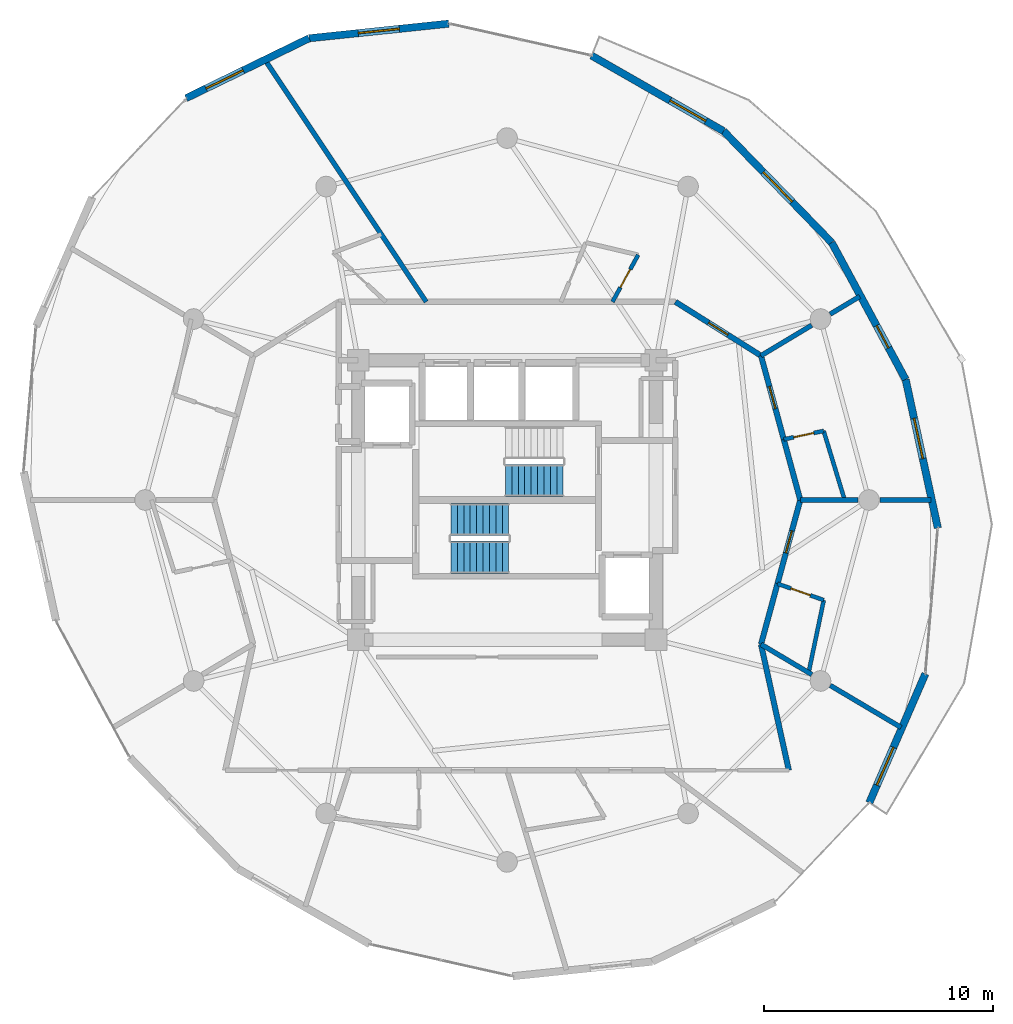
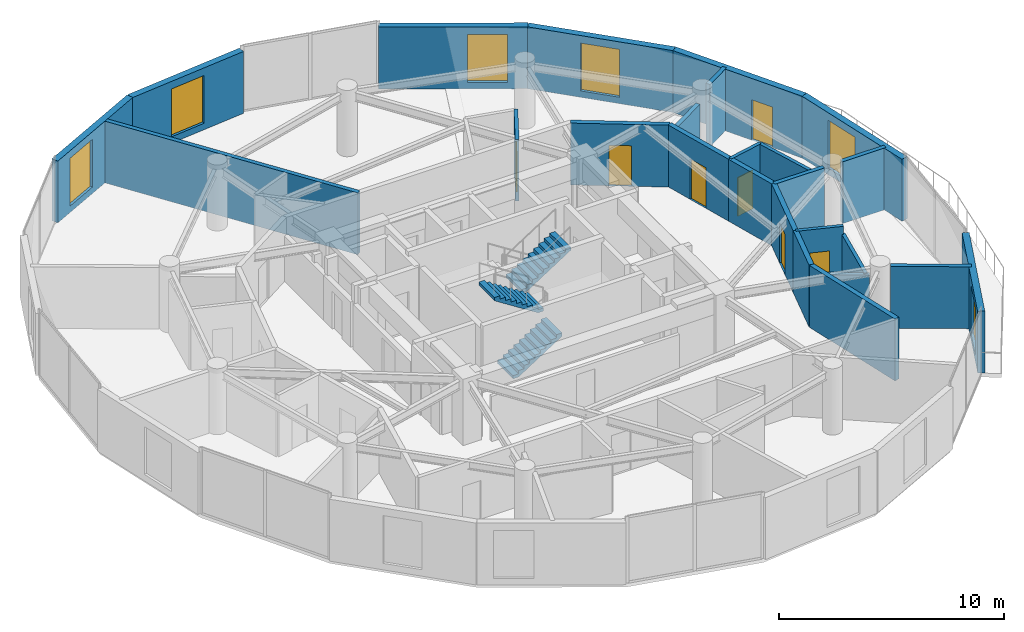
# One storey, part 20 of 23: 25 walls, 7 doors, 6 windows, 3 stair flights, 13 openings, 2 elements without a shape of their own.
"""IFC4 building model written with IfcOpenShell, lengths in metres."""

from ifc_helpers import new_model, si_unit, direction, frame, frame_2d, origin, place, context, subcontext, project, spatial, polyline, rectangle, outline, extrude, material, layer, layer_set, type_object, element, fill, aggregate, save


model = new_model("IFC4")

# Units and contexts
model_context = context("Model", 3, precision=1e-05, world=origin(), true_north=direction((0.0, 1.0)))
body_context = subcontext(model_context, "Body", "Model", "MODEL_VIEW")
ifc_project = project(units=[si_unit("LENGTHUNIT", "METRE"), si_unit("AREAUNIT", "SQUARE_METRE"), si_unit("VOLUMEUNIT", "CUBIC_METRE"), si_unit("PLANEANGLEUNIT", "RADIAN"), si_unit("MASSUNIT", "GRAM", prefix="KILO")], contexts=[model_context])

# Site, building, storey
site_placement = place(None, origin())
site = spatial("IfcSite", under=ifc_project, at=site_placement, CompositionType="ELEMENT")
building_placement = place(site_placement, origin())
building = spatial("IfcBuilding", under=site, at=building_placement, Name="Solvirekh Grand Hotel", CompositionType="ELEMENT")
storey_placement = place(building_placement, frame((0.0, 0.0, 176.800048828125)))
storey = spatial("IfcBuildingStorey", under=building, at=storey_placement, Name="L45", CompositionType="ELEMENT", Elevation=176.800048828125)

# Wall, opening, window
ifc_material_1 = material(Name="Precast concrete C45/55", Category="concrete")
ifc_layer_1 = layer(ifc_material_1, 0.320068359375)
ifc_layer_set_1 = layer_set([ifc_layer_1], Name="Precast concrete C45/55")
wall_type_1 = type_object("IfcWallType", Name="ExtLobbyWall_RC320", PredefinedType="SOLIDWALL", material=ifc_layer_set_1)
wall_1_placement = place(storey_placement, frame((18.260009765625, -7.590087890625, 0.0), z_axis=(0.0, 0.0, 1.0), x_axis=(-0.398911001453, -0.916989647117, 0.0)))
wall_1 = element("IfcWall", 1, at=wall_1_placement, inside=storey, type_object=wall_type_1, Name="L45 exterior structural wall chord 2", PredefinedType="SOLIDWALL", context=body_context, shape_type="SweptSolid", body=[
    extrude(rectangle(XDim=6.1318359375, YDim=0.320068359375, at=frame_2d((3.06591796875, 0.0))), origin(), (0.0, 0.0, 1.0), 3.35986328125),
])
opening_1_placement = place(wall_1_placement, frame((3.5, 0.0, 0.35009765625)))
opening_1 = element("IfcOpeningElement", 2, at=opening_1_placement, cuts=wall_1, Name="Opening W02", PredefinedType="OPENING", context=body_context, shape_type="SweptSolid", body=[
    extrude(rectangle(XDim=1.800048828125, YDim=2.60009765625, at=frame_2d((0.89990234375, 1.300048828125))), frame((0.0, 0.169921875, 0.0), z_axis=(0.0, -1.0, 0.0), x_axis=(1.0, 0.0, 0.0)), (0.0, 0.0, 1.0), 0.340087890625),
])
ifc_material_2 = material(Name="Low-E Tinted Bronze Laminated Glass", Category="aluminium")
window_type = type_object("IfcWindowType", Name="Win_LobbyExt_1800X2600", PartitioningType="SINGLE_PANEL", PredefinedType="WINDOW", material=ifc_material_2)
window_1_placement = place(opening_1_placement, origin())
window_1 = element("IfcWindow", 3, at=window_1_placement, inside=storey, type_object=window_type, Name="L45 panoramic bronze-framed window 2", OverallHeight=2.60009765625, OverallWidth=1.800048828125, PartitioningType="SINGLE_PANEL", PredefinedType="WINDOW", context=body_context, shape_type="SweptSolid", body=[
    extrude(rectangle(XDim=1.800048828125, YDim=2.60009765625, at=frame_2d((0.89990234375, 1.300048828125))), frame((0.0, 0.030029296875, 0.0), z_axis=(0.0, -1.0, 0.0), x_axis=(1.0, 0.0, 0.0)), (0.0, 0.0, 1.0), 0.06005859375),
])
fill(opening_1, window_1)

wall_2_placement = place(storey_placement, frame((17.39794921875, 5.261962890625, 0.0), z_axis=(0.0, 0.0, 1.0), x_axis=(0.211992849193, -0.977271217161, 0.0)))
wall_2 = element("IfcWall", 4, at=wall_2_placement, inside=storey, type_object=wall_type_1, Name="L45 exterior structural wall chord 4", PredefinedType="SOLIDWALL", context=body_context, shape_type="SweptSolid", body=[
    extrude(rectangle(XDim=6.636962890625, YDim=0.320068359375, at=frame_2d((3.318359375, 0.0))), origin(), (0.0, 0.0, 1.0), 3.35986328125),
])
opening_2_placement = place(wall_2_placement, frame((1.738037109375, 0.0, 0.35009765625)))
opening_2 = element("IfcOpeningElement", 5, at=opening_2_placement, cuts=wall_2, Name="Opening W02", PredefinedType="OPENING", context=body_context, shape_type="SweptSolid", body=[
    extrude(rectangle(XDim=1.800048828125, YDim=2.60009765625, at=frame_2d((0.89990234375, 1.300048828125))), frame((0.0, 0.169921875, 0.0), z_axis=(0.0, -1.0, 0.0), x_axis=(1.0, 0.0, 0.0)), (0.0, 0.0, 1.0), 0.340087890625),
])
window_2_placement = place(opening_2_placement, origin())
window_2 = element("IfcWindow", 6, at=window_2_placement, inside=storey, type_object=window_type, Name="L45 panoramic bronze-framed window 4", OverallHeight=2.60009765625, OverallWidth=1.800048828125, PartitioningType="SINGLE_PANEL", PredefinedType="WINDOW", context=body_context, shape_type="SweptSolid", body=[
    extrude(rectangle(XDim=1.800048828125, YDim=2.60009765625, at=frame_2d((0.89990234375, 1.300048828125))), frame((0.0, 0.030029296875, 0.0), z_axis=(0.0, -1.0, 0.0), x_axis=(1.0, 0.0, 0.0)), (0.0, 0.0, 1.0), 0.06005859375),
])
fill(opening_2, window_2)

# Wall, opening, door
wall_3_placement = place(storey_placement, frame((14.174072265625, 11.23193359375, 0.0), z_axis=(0.0, 0.0, 1.0), x_axis=(0.475159501302, -0.879899680829, 0.0)))
wall_3 = element("IfcWall", 7, at=wall_3_placement, inside=storey, type_object=wall_type_1, Name="L45 exterior structural wall chord 5", PredefinedType="SOLIDWALL", context=body_context, shape_type="SweptSolid", body=[
    extrude(rectangle(XDim=6.784912109375, YDim=0.320068359375, at=frame_2d((3.392578125, 0.0))), origin(), (0.0, 0.0, 1.0), 3.35986328125),
])
opening_3_placement = place(wall_3_placement, frame((4.114013671875, 0.0, 0.0)))
opening_3 = element("IfcOpeningElement", 8, at=opening_3_placement, cuts=wall_3, Name="Opening D03", PredefinedType="OPENING", context=body_context, shape_type="SweptSolid", body=[
    extrude(rectangle(XDim=1.10009765625, YDim=2.199951171875, at=frame_2d((0.550048828125, 1.10009765625))), frame((0.0, 0.169921875, 0.0), z_axis=(0.0, -1.0, 0.0), x_axis=(1.0, 0.0, 0.0)), (0.0, 0.0, 1.0), 0.340087890625),
])
ifc_material_3 = material(Name="Anodized Bronze Aluminium 6063-T6", Category="aluminium")
door_type_1 = type_object("IfcDoorType", Name="Door_ExtBalcony_1100X2200", OperationType="NOTDEFINED", PredefinedType="DOOR", material=ifc_material_3)
door_1_placement = place(opening_3_placement, origin())
door_1 = element("IfcDoor", 9, at=door_1_placement, inside=storey, type_object=door_type_1, Name="L45 Crescent balcony glazed door (5)", OperationType="SINGLE_SWING_LEFT", OverallHeight=2.199951171875, OverallWidth=1.10009765625, PredefinedType="DOOR", context=body_context, shape_type="SweptSolid", body=[
    extrude(rectangle(XDim=1.10009765625, YDim=2.199951171875, at=frame_2d((0.550048828125, 1.10009765625))), frame((0.0, 0.02490234375, 0.0), z_axis=(0.0, -1.0, 0.0), x_axis=(1.0, 0.0, 0.0)), (0.0, 0.0, 1.0), 0.050048828125),
])
fill(opening_3, door_1)

# Wall, opening, window
wall_4_placement = place(storey_placement, frame((9.450927734375, 16.10302734375, 0.0), z_axis=(0.0, 0.0, 1.0), x_axis=(0.696119985346, -0.71792545992, 0.0)))
wall_4 = element("IfcWall", 10, at=wall_4_placement, inside=storey, type_object=wall_type_1, Name="L45 exterior structural wall chord 6", PredefinedType="SOLIDWALL", context=body_context, shape_type="SweptSolid", body=[
    extrude(rectangle(XDim=6.784912109375, YDim=0.320068359375, at=frame_2d((3.392578125, 0.0))), origin(), (0.0, 0.0, 1.0), 3.35986328125),
])
opening_4_placement = place(wall_4_placement, frame((2.491943359375, 0.0, 0.35009765625)))
opening_4 = element("IfcOpeningElement", 11, at=opening_4_placement, cuts=wall_4, Name="Opening W02", PredefinedType="OPENING", context=body_context, shape_type="SweptSolid", body=[
    extrude(rectangle(XDim=1.800048828125, YDim=2.60009765625, at=frame_2d((0.89990234375, 1.300048828125))), frame((0.0, 0.169921875, 0.0), z_axis=(0.0, -1.0, 0.0), x_axis=(1.0, 0.0, 0.0)), (0.0, 0.0, 1.0), 0.340087890625),
])
window_3_placement = place(opening_4_placement, origin())
window_3 = element("IfcWindow", 12, at=window_3_placement, inside=storey, type_object=window_type, Name="L45 panoramic bronze-framed window 6", OverallHeight=2.60009765625, OverallWidth=1.800048828125, PartitioningType="SINGLE_PANEL", PredefinedType="WINDOW", context=body_context, shape_type="SweptSolid", body=[
    extrude(rectangle(XDim=1.800048828125, YDim=2.60009765625, at=frame_2d((0.89990234375, 1.300048828125))), frame((0.0, 0.030029296875, 0.0), z_axis=(0.0, -1.0, 0.0), x_axis=(1.0, 0.0, 0.0)), (0.0, 0.0, 1.0), 0.06005859375),
])
fill(opening_4, window_3)

wall_5_placement = place(storey_placement, frame((3.68994140625, 19.39794921875, 0.0), z_axis=(0.0, 0.0, 1.0), x_axis=(0.868052920032, -0.496471678974, 0.0)))
wall_5 = element("IfcWall", 13, at=wall_5_placement, inside=storey, type_object=wall_type_1, Name="L45 exterior structural wall chord 7", PredefinedType="SOLIDWALL", context=body_context, shape_type="SweptSolid", body=[
    extrude(rectangle(XDim=6.63671875, YDim=0.320068359375, at=frame_2d((3.318359375, 0.0))), origin(), (0.0, 0.0, 1.0), 3.35986328125),
])
opening_5_placement = place(wall_5_placement, frame((3.944091796875, 0.0, 0.35009765625)))
opening_5 = element("IfcOpeningElement", 14, at=opening_5_placement, cuts=wall_5, Name="Opening W02", PredefinedType="OPENING", context=body_context, shape_type="SweptSolid", body=[
    extrude(rectangle(XDim=1.800048828125, YDim=2.60009765625, at=frame_2d((0.89990234375, 1.300048828125))), frame((0.0, 0.169921875, 0.0), z_axis=(0.0, -1.0, 0.0), x_axis=(1.0, 0.0, 0.0)), (0.0, 0.0, 1.0), 0.340087890625),
])
window_4_placement = place(opening_5_placement, origin())
window_4 = element("IfcWindow", 15, at=window_4_placement, inside=storey, type_object=window_type, Name="L45 panoramic bronze-framed window 7", OverallHeight=2.60009765625, OverallWidth=1.800048828125, PartitioningType="SINGLE_PANEL", PredefinedType="WINDOW", context=body_context, shape_type="SweptSolid", body=[
    extrude(rectangle(XDim=1.800048828125, YDim=2.60009765625, at=frame_2d((0.89990234375, 1.300048828125))), frame((0.0, 0.030029296875, 0.0), z_axis=(0.0, -1.0, 0.0), x_axis=(1.0, 0.0, 0.0)), (0.0, 0.0, 1.0), 0.06005859375),
])
fill(opening_5, window_4)

wall_6_placement = place(storey_placement, frame((-8.64306640625, 20.155029296875, 0.0), z_axis=(0.0, 0.0, 1.0), x_axis=(0.994556170884, 0.104201837585, 0.0)))
wall_6 = element("IfcWall", 16, at=wall_6_placement, inside=storey, type_object=wall_type_1, Name="L45 exterior structural wall chord 9", PredefinedType="SOLIDWALL", context=body_context, shape_type="SweptSolid", body=[
    extrude(rectangle(XDim=6.131591796875, YDim=0.320068359375, at=frame_2d((3.06591796875, 0.0))), origin(), (0.0, 0.0, 1.0), 3.35986328125),
])
opening_6_placement = place(wall_6_placement, frame((2.166015625, 0.0, 0.35009765625)))
opening_6 = element("IfcOpeningElement", 17, at=opening_6_placement, cuts=wall_6, Name="Opening W02", PredefinedType="OPENING", context=body_context, shape_type="SweptSolid", body=[
    extrude(rectangle(XDim=1.800048828125, YDim=2.60009765625, at=frame_2d((0.89990234375, 1.300048828125))), frame((0.0, 0.169921875, 0.0), z_axis=(0.0, -1.0, 0.0), x_axis=(1.0, 0.0, 0.0)), (0.0, 0.0, 1.0), 0.340087890625),
])
window_5_placement = place(opening_6_placement, origin())
window_5 = element("IfcWindow", 18, at=window_5_placement, inside=storey, type_object=window_type, Name="L45 panoramic bronze-framed window 9", OverallHeight=2.60009765625, OverallWidth=1.800048828125, PartitioningType="SINGLE_PANEL", PredefinedType="WINDOW", context=body_context, shape_type="SweptSolid", body=[
    extrude(rectangle(XDim=1.800048828125, YDim=2.60009765625, at=frame_2d((0.89990234375, 1.300048828125))), frame((0.0, 0.030029296875, 0.0), z_axis=(0.0, -1.0, 0.0), x_axis=(1.0, 0.0, 0.0)), (0.0, 0.0, 1.0), 0.06005859375),
])
fill(opening_6, window_5)

wall_7_placement = place(storey_placement, frame((-14.008056640625, 17.5419921875, 0.0), z_axis=(0.0, 0.0, 1.0), x_axis=(0.899034471399, 0.437877858811, 0.0)))
wall_7 = element("IfcWall", 19, at=wall_7_placement, inside=storey, type_object=wall_type_1, Name="L45 exterior structural wall chord 10", PredefinedType="SOLIDWALL", context=body_context, shape_type="SweptSolid", body=[
    extrude(rectangle(XDim=5.967529296875, YDim=0.320068359375, at=frame_2d((2.98388671875, 0.0))), origin(), (0.0, 0.0, 1.0), 3.35986328125),
])
opening_7_placement = place(wall_7_placement, frame((0.966064453125, 0.0, 0.35009765625)))
opening_7 = element("IfcOpeningElement", 20, at=opening_7_placement, cuts=wall_7, Name="Opening W02", PredefinedType="OPENING", context=body_context, shape_type="SweptSolid", body=[
    extrude(rectangle(XDim=1.800048828125, YDim=2.60009765625, at=frame_2d((0.89990234375, 1.300048828125))), frame((0.0, 0.169921875, 0.0), z_axis=(0.0, -1.0, 0.0), x_axis=(1.0, 0.0, 0.0)), (0.0, 0.0, 1.0), 0.340087890625),
])
window_6_placement = place(opening_7_placement, origin())
window_6 = element("IfcWindow", 21, at=window_6_placement, inside=storey, type_object=window_type, Name="L45 panoramic bronze-framed window 10", OverallHeight=2.60009765625, OverallWidth=1.800048828125, PartitioningType="SINGLE_PANEL", PredefinedType="WINDOW", context=body_context, shape_type="SweptSolid", body=[
    extrude(rectangle(XDim=1.800048828125, YDim=2.60009765625, at=frame_2d((0.89990234375, 1.300048828125))), frame((0.0, 0.030029296875, 0.0), z_axis=(0.0, -1.0, 0.0), x_axis=(1.0, 0.0, 0.0)), (0.0, 0.0, 1.0), 0.06005859375),
])
fill(opening_7, window_6)

# Wall, opening, door
ifc_material_4 = material(Name="Acoustic Gypsum Partition Assembly")
ifc_layer_2 = layer(ifc_material_4, 0.239990234375)
ifc_layer_set_2 = layer_set([ifc_layer_2], Name="Acoustic Gypsum Partition Assembly")
wall_type_2 = type_object("IfcWallType", Name="Part_Corridor_240", PredefinedType="PARTITIONING", material=ifc_layer_set_2)
wall_8_placement = place(storey_placement, frame((7.35009765625, 8.64990234375, 0.0), z_axis=(0.0, 0.0, 1.0), x_axis=(0.846409267484, -0.532532958526, 0.0)))
wall_8 = element("IfcWall", 22, at=wall_8_placement, inside=storey, type_object=wall_type_2, Name="L45 Deluxe Guestroom 4701 entrance wall", PredefinedType="PARTITIONING", context=body_context, shape_type="SweptSolid", body=[
    extrude(rectangle(XDim=4.41259765625, YDim=0.239990234375, at=frame_2d((2.206298828125, 0.0))), origin(), (0.0, 0.0, 1.0), 3.35986328125),
])
opening_8_placement = place(wall_8_placement, frame((1.7060546875, 0.0, 0.0)))
opening_8 = element("IfcOpeningElement", 23, at=opening_8_placement, cuts=wall_8, Name="Opening D07", PredefinedType="OPENING", context=body_context, shape_type="SweptSolid", body=[
    extrude(rectangle(XDim=1.0, YDim=2.199951171875, at=frame_2d((0.5, 1.10009765625))), frame((0.0, 0.1298828125, 0.0), z_axis=(0.0, -1.0, 0.0), x_axis=(1.0, 0.0, 0.0)), (0.0, 0.0, 1.0), 0.260009765625),
])
ifc_material_5 = material(Name="Fire-Rated Steel Door Assembly", Category="steel")
door_type_2 = type_object("IfcDoorType", Name="Door_GuestEntry_1000X2200", OperationType="NOTDEFINED", PredefinedType="DOOR", material=ifc_material_5)
door_2_placement = place(opening_8_placement, origin())
door_2 = element("IfcDoor", 24, at=door_2_placement, inside=storey, type_object=door_type_2, Name="L45 Deluxe Guestroom 4701 entrance door", OperationType="SINGLE_SWING_LEFT", OverallHeight=2.199951171875, OverallWidth=1.0, PredefinedType="DOOR", context=body_context, shape_type="SweptSolid", body=[
    extrude(rectangle(XDim=1.0, YDim=2.199951171875, at=frame_2d((0.5, 1.10009765625))), frame((0.0, 0.02490234375, 0.0), z_axis=(0.0, -1.0, 0.0), x_axis=(1.0, 0.0, 0.0)), (0.0, 0.0, 1.0), 0.050048828125),
])
fill(opening_8, door_2)

# Wall
wall_9_placement = place(storey_placement, frame((11.0849609375, -6.300048828125, 0.0), z_axis=(0.0, 0.0, 1.0), x_axis=(0.262552356383, 0.964917747872, 0.0)))
element("IfcWall", 25, at=wall_9_placement, inside=storey, type_object=wall_type_2, Name="L45 En-suite Bathroom 4705 corridor backing wall", PredefinedType="PARTITIONING", context=body_context, shape_type="SweptSolid", body=[
    extrude(rectangle(XDim=2.7421875, YDim=0.239990234375, at=frame_2d((1.37109375, 0.0))), origin(), (0.0, 0.0, 1.0), 3.35986328125),
])

# Wall, opening, door
wall_10_placement = place(storey_placement, frame((11.804931640625, -3.654052734375, 0.0), z_axis=(0.0, 0.0, 1.0), x_axis=(0.262762825819, 0.964860454868, 0.0)))
wall_10 = element("IfcWall", 26, at=wall_10_placement, inside=storey, type_object=wall_type_2, Name="L45 Deluxe Guestroom 4705 entrance wall", PredefinedType="PARTITIONING", context=body_context, shape_type="SweptSolid", body=[
    extrude(rectangle(XDim=3.787109375, YDim=0.239990234375, at=frame_2d((1.8935546875, 0.0))), origin(), (0.0, 0.0, 1.0), 3.35986328125),
])
opening_9_placement = place(wall_10_placement, frame((1.39404296875, 0.0, 0.0)))
opening_9 = element("IfcOpeningElement", 27, at=opening_9_placement, cuts=wall_10, Name="Opening D07", PredefinedType="OPENING", context=body_context, shape_type="SweptSolid", body=[
    extrude(rectangle(XDim=1.0, YDim=2.199951171875, at=frame_2d((0.5, 1.10009765625))), frame((0.0, 0.1298828125, 0.0), z_axis=(0.0, -1.0, 0.0), x_axis=(1.0, 0.0, 0.0)), (0.0, 0.0, 1.0), 0.260009765625),
])
door_3_placement = place(opening_9_placement, origin())
door_3 = element("IfcDoor", 28, at=door_3_placement, inside=storey, type_object=door_type_2, Name="L45 Deluxe Guestroom 4705 entrance door", OperationType="SINGLE_SWING_RIGHT", OverallHeight=2.199951171875, OverallWidth=1.0, PredefinedType="DOOR", context=body_context, shape_type="SweptSolid", body=[
    extrude(rectangle(XDim=1.0, YDim=2.199951171875, at=frame_2d((0.5, 1.10009765625))), frame((0.0, 0.02490234375, 0.0), z_axis=(0.0, -1.0, 0.0), x_axis=(1.0, 0.0, 0.0)), (0.0, 0.0, 1.0), 0.050048828125),
])
fill(opening_9, door_3)

# Wall
wall_11_placement = place(storey_placement, frame((12.800048828125, 0.0, 0.0), z_axis=(0.0, 0.0, 1.0), x_axis=(-0.262552356383, 0.964917747872, 0.0)))
element("IfcWall", 29, at=wall_11_placement, inside=storey, type_object=wall_type_2, Name="L45 En-suite Bathroom 4706 corridor backing wall", PredefinedType="PARTITIONING", context=body_context, shape_type="SweptSolid", body=[
    extrude(rectangle(XDim=2.7421875, YDim=0.239990234375, at=frame_2d((1.37109375, 0.0))), origin(), (0.0, 0.0, 1.0), 3.35986328125),
])

# Wall, opening, door
wall_12_placement = place(storey_placement, frame((12.080078125, 2.64599609375, 0.0), z_axis=(0.0, 0.0, 1.0), x_axis=(-0.262762825819, 0.964860454868, 0.0)))
wall_12 = element("IfcWall", 30, at=wall_12_placement, inside=storey, type_object=wall_type_2, Name="L45 Deluxe Guestroom 4706 entrance wall", PredefinedType="PARTITIONING", context=body_context, shape_type="SweptSolid", body=[
    extrude(rectangle(XDim=3.787109375, YDim=0.239990234375, at=frame_2d((1.8935546875, 0.0))), origin(), (0.0, 0.0, 1.0), 3.35986328125),
])
opening_10_placement = place(wall_12_placement, frame((1.39404296875, 0.0, 0.0)))
opening_10 = element("IfcOpeningElement", 31, at=opening_10_placement, cuts=wall_12, Name="Opening D07", PredefinedType="OPENING", context=body_context, shape_type="SweptSolid", body=[
    extrude(rectangle(XDim=1.0, YDim=2.199951171875, at=frame_2d((0.5, 1.10009765625))), frame((0.0, 0.1298828125, 0.0), z_axis=(0.0, -1.0, 0.0), x_axis=(1.0, 0.0, 0.0)), (0.0, 0.0, 1.0), 0.260009765625),
])
door_4_placement = place(opening_10_placement, origin())
door_4 = element("IfcDoor", 32, at=door_4_placement, inside=storey, type_object=door_type_2, Name="L45 Deluxe Guestroom 4706 entrance door", OperationType="SINGLE_SWING_RIGHT", OverallHeight=2.199951171875, OverallWidth=1.0, PredefinedType="DOOR", context=body_context, shape_type="SweptSolid", body=[
    extrude(rectangle(XDim=1.0, YDim=2.199951171875, at=frame_2d((0.5, 1.10009765625))), frame((0.0, 0.02490234375, 0.0), z_axis=(0.0, -1.0, 0.0), x_axis=(1.0, 0.0, 0.0)), (0.0, 0.0, 1.0), 0.050048828125),
])
fill(opening_10, door_4)

# Walls
wall_13_placement = place(storey_placement, frame((12.300048828125, -11.800048828125, 0.0), z_axis=(0.0, 0.0, 1.0), x_axis=(-0.21572328796, 0.976454537104, 0.0)))
element("IfcWall", 33, at=wall_13_placement, inside=storey, type_object=wall_type_2, Name="L45 L45 Butler Valet & Linen Steward Room corridor wall 1", PredefinedType="PARTITIONING", context=body_context, shape_type="SweptSolid", body=[
    extrude(rectangle(XDim=5.632568359375, YDim=0.239990234375, at=frame_2d((2.81640625, 0.0))), origin(), (0.0, 0.0, 1.0), 3.35986328125),
])
ifc_layer_3 = layer(ifc_material_4, 0.2099609375)
ifc_layer_set_3 = layer_set([ifc_layer_3], Name="Acoustic Gypsum Partition Assembly")
wall_type_3 = type_object("IfcWallType", Name="Part_SuiteDemise_210", PredefinedType="PARTITIONING", material=ifc_layer_set_3)
wall_14_placement = place(storey_placement, frame((12.800048828125, 0.0, 0.0), z_axis=(0.0, 0.0, 1.0), x_axis=(1.0, 0.0, 0.0)))
element("IfcWall", 34, at=wall_14_placement, inside=storey, type_object=wall_type_3, Name="L45 suite radial wall 1 (A)", PredefinedType="PARTITIONING", context=body_context, shape_type="SweptSolid", body=[
    extrude(rectangle(XDim=2.530029296875, YDim=0.2099609375, at=frame_2d((1.26513671875, 0.0))), origin(), (0.0, 0.0, 1.0), 3.35986328125),
])
wall_15_placement = place(storey_placement, frame((16.27001953125, 0.0, 0.0), z_axis=(0.0, 0.0, 1.0), x_axis=(1.0, 0.0, 0.0)))
element("IfcWall", 35, at=wall_15_placement, inside=storey, type_object=wall_type_3, Name="L45 suite radial wall 1 (B)", PredefinedType="PARTITIONING", context=body_context, shape_type="SweptSolid", body=[
    extrude(rectangle(XDim=2.22900390625, YDim=0.2099609375, at=frame_2d((1.114501953125, 0.0))), origin(), (0.0, 0.0, 1.0), 3.35986328125),
])
wall_16_placement = place(storey_placement, frame((11.0849609375, 6.300048828125, 0.0), z_axis=(0.0, 0.0, 1.0), x_axis=(0.857259301733, 0.514884928497, 0.0)))
element("IfcWall", 36, at=wall_16_placement, inside=storey, type_object=wall_type_3, Name="L45 suite radial wall 2 (A)", PredefinedType="PARTITIONING", context=body_context, shape_type="SweptSolid", body=[
    extrude(rectangle(XDim=2.582763671875, YDim=0.2099609375, at=frame_2d((1.29150390625, 0.0))), origin(), (0.0, 0.0, 1.0), 2.8759765625),
])
wall_17_placement = place(storey_placement, frame((14.10205078125, 8.112060546875, 0.0), z_axis=(0.0, 0.0, 1.0), x_axis=(0.85729274583, 0.514829241543, 0.0)))
element("IfcWall", 37, at=wall_17_placement, inside=storey, type_object=wall_type_3, Name="L45 suite radial wall 2 (B)", PredefinedType="PARTITIONING", context=body_context, shape_type="SweptSolid", body=[
    extrude(rectangle(XDim=1.507080078125, YDim=0.2099609375, at=frame_2d((0.75341796875, 0.0))), origin(), (0.0, 0.0, 1.0), 3.35986328125),
])
wall_18_placement = place(storey_placement, frame((11.0849609375, -6.300048828125, 0.0), z_axis=(0.0, 0.0, 1.0), x_axis=(0.859827513331, -0.510584613281, 0.0)))
element("IfcWall", 38, at=wall_18_placement, inside=storey, type_object=wall_type_3, Name="L45 suite radial wall 12 (A)", PredefinedType="PARTITIONING", context=body_context, shape_type="SweptSolid", body=[
    extrude(rectangle(XDim=2.5830078125, YDim=0.2099609375, at=frame_2d((1.29150390625, 0.0))), origin(), (0.0, 0.0, 1.0), 2.8759765625),
])
wall_19_placement = place(storey_placement, frame((14.110107421875, -8.095947265625, 0.0), z_axis=(0.0, 0.0, 1.0), x_axis=(0.859858473155, -0.510532473153, 0.0)))
element("IfcWall", 39, at=wall_19_placement, inside=storey, type_object=wall_type_3, Name="L45 suite radial wall 12 (B)", PredefinedType="PARTITIONING", context=body_context, shape_type="SweptSolid", body=[
    extrude(rectangle(XDim=3.59228515625, YDim=0.2099609375, at=frame_2d((1.796142578125, 0.0))), origin(), (0.0, 0.0, 1.0), 3.35986328125),
])
wall_20_placement = place(storey_placement, frame((-3.528076171875, 8.64990234375, 0.0), z_axis=(0.0, 0.0, 1.0), x_axis=(-0.554428653403, 0.832231258898, 0.0)))
element("IfcWall", 40, at=wall_20_placement, inside=storey, type_object=wall_type_3, Name="L45 Panorama Suite 4701 North Observatory Study dividing partition 1", PredefinedType="PARTITIONING", context=body_context, shape_type="SweptSolid", body=[
    extrude(rectangle(XDim=12.65771484375, YDim=0.2099609375, at=frame_2d((6.328857421875, 0.0))), origin(), (0.0, 0.0, 1.0), 3.35986328125),
])

# Wall, opening, door
ifc_layer_4 = layer(ifc_material_4, 0.175048828125)
ifc_layer_set_4 = layer_set([ifc_layer_4], Name="Acoustic Gypsum Partition Assembly")
wall_type_4 = type_object("IfcWallType", Name="Plumb_Ensuite_175", PredefinedType="PLUMBINGWALL", material=ifc_layer_set_4)
wall_21_placement = place(storey_placement, frame((4.60205078125, 8.64990234375, 0.0), z_axis=(0.0, 0.0, 1.0), x_axis=(0.479577167617, 0.877499709573, 0.0)))
wall_21 = element("IfcWall", 41, at=wall_21_placement, inside=storey, type_object=wall_type_4, Name="L45 En-suite Bathroom 4701 entry plumbing wall", PredefinedType="PLUMBINGWALL", context=body_context, shape_type="SweptSolid", body=[
    extrude(rectangle(XDim=2.335205078125, YDim=0.175048828125, at=frame_2d((1.16748046875, 0.0))), origin(), (0.0, 0.0, 1.0), 3.35986328125),
])
opening_11_placement = place(wall_21_placement, frame((0.718017578125, 0.0, 0.0)))
opening_11 = element("IfcOpeningElement", 42, at=opening_11_placement, cuts=wall_21, Name="Opening D09", PredefinedType="OPENING", context=body_context, shape_type="SweptSolid", body=[
    extrude(rectangle(XDim=0.89990234375, YDim=2.10009765625, at=frame_2d((0.449951171875, 1.050048828125))), frame((0.0, 0.09765625, 0.0), z_axis=(0.0, -1.0, 0.0), x_axis=(1.0, 0.0, 0.0)), (0.0, 0.0, 1.0), 0.195068359375),
])
door_type_3 = type_object("IfcDoorType", Name="Door_Ensuite_900X2100", OperationType="NOTDEFINED", PredefinedType="DOOR", material=ifc_material_3)
door_5_placement = place(opening_11_placement, origin())
door_5 = element("IfcDoor", 43, at=door_5_placement, inside=storey, type_object=door_type_3, Name="L45 En-suite Bathroom 4701 door", OperationType="SINGLE_SWING_RIGHT", OverallHeight=2.10009765625, OverallWidth=0.89990234375, PredefinedType="DOOR", context=body_context, shape_type="SweptSolid", body=[
    extrude(rectangle(XDim=0.89990234375, YDim=2.10009765625, at=frame_2d((0.449951171875, 1.050048828125))), frame((0.0, 0.02490234375, 0.0), z_axis=(0.0, -1.0, 0.0), x_axis=(1.0, 0.0, 0.0)), (0.0, 0.0, 1.0), 0.050048828125),
])
fill(opening_11, door_5)

# Wall
wall_22_placement = place(storey_placement, frame((13.1640625, -7.533935546875, 0.0), z_axis=(0.0, 0.0, 1.0), x_axis=(0.204476064812, 0.978871564057, 0.0)))
element("IfcWall", 44, at=wall_22_placement, inside=storey, type_object=wall_type_4, Name="L45 En-suite Bathroom 4705 outer plumbing wall", PredefinedType="PLUMBINGWALL", context=body_context, shape_type="SweptSolid", body=[
    extrude(rectangle(XDim=3.232177734375, YDim=0.175048828125, at=frame_2d((1.6162109375, 0.0))), origin(), (0.0, 0.0, 1.0), 2.928955078125),
])

# Wall, opening, door
wall_23_placement = place(storey_placement, frame((11.804931640625, -3.654052734375, 0.0), z_axis=(0.0, 0.0, 1.0), x_axis=(0.942533085892, -0.334112828248, 0.0)))
wall_23 = element("IfcWall", 45, at=wall_23_placement, inside=storey, type_object=wall_type_4, Name="L45 En-suite Bathroom 4705 entry plumbing wall", PredefinedType="PLUMBINGWALL", context=body_context, shape_type="SweptSolid", body=[
    extrude(rectangle(XDim=2.14306640625, YDim=0.175048828125, at=frame_2d((1.071533203125, 0.0))), origin(), (0.0, 0.0, 1.0), 3.35986328125),
])
opening_12_placement = place(wall_23_placement, frame((0.6220703125, 0.0, 0.0)))
opening_12 = element("IfcOpeningElement", 46, at=opening_12_placement, cuts=wall_23, Name="Opening D09", PredefinedType="OPENING", context=body_context, shape_type="SweptSolid", body=[
    extrude(rectangle(XDim=0.89990234375, YDim=2.10009765625, at=frame_2d((0.449951171875, 1.050048828125))), frame((0.0, 0.09765625, 0.0), z_axis=(0.0, -1.0, 0.0), x_axis=(1.0, 0.0, 0.0)), (0.0, 0.0, 1.0), 0.195068359375),
])
door_6_placement = place(opening_12_placement, origin())
door_6 = element("IfcDoor", 47, at=door_6_placement, inside=storey, type_object=door_type_3, Name="L45 En-suite Bathroom 4705 door", OperationType="SINGLE_SWING_LEFT", OverallHeight=2.10009765625, OverallWidth=0.89990234375, PredefinedType="DOOR", context=body_context, shape_type="SweptSolid", body=[
    extrude(rectangle(XDim=0.89990234375, YDim=2.10009765625, at=frame_2d((0.449951171875, 1.050048828125))), frame((0.0, 0.02490234375, 0.0), z_axis=(0.0, -1.0, 0.0), x_axis=(1.0, 0.0, 0.0)), (0.0, 0.0, 1.0), 0.050048828125),
])
fill(opening_12, door_6)

# Wall
wall_24_placement = place(storey_placement, frame((14.738037109375, 0.0, 0.0), z_axis=(0.0, 0.0, 1.0), x_axis=(-0.291451232832, 0.956585688206, 0.0)))
element("IfcWall", 48, at=wall_24_placement, inside=storey, type_object=wall_type_4, Name="L45 En-suite Bathroom 4706 outer plumbing wall", PredefinedType="PLUMBINGWALL", context=body_context, shape_type="SweptSolid", body=[
    extrude(rectangle(XDim=3.153076171875, YDim=0.175048828125, at=frame_2d((1.57666015625, 0.0))), origin(), (0.0, 0.0, 1.0), 3.35986328125),
])

# Wall, opening, door
wall_25_placement = place(storey_placement, frame((12.080078125, 2.64599609375, 0.0), z_axis=(0.0, 0.0, 1.0), x_axis=(0.978092843795, 0.208169135363, 0.0)))
wall_25 = element("IfcWall", 49, at=wall_25_placement, inside=storey, type_object=wall_type_4, Name="L45 En-suite Bathroom 4706 entry plumbing wall", PredefinedType="PLUMBINGWALL", context=body_context, shape_type="SweptSolid", body=[
    extrude(rectangle(XDim=1.778076171875, YDim=0.175048828125, at=frame_2d((0.88916015625, 0.0))), origin(), (0.0, 0.0, 1.0), 3.35986328125),
])
opening_13_placement = place(wall_25_placement, frame((0.43896484375, 0.0, 0.0)))
opening_13 = element("IfcOpeningElement", 50, at=opening_13_placement, cuts=wall_25, Name="Opening D09", PredefinedType="OPENING", context=body_context, shape_type="SweptSolid", body=[
    extrude(rectangle(XDim=0.89990234375, YDim=2.10009765625, at=frame_2d((0.449951171875, 1.050048828125))), frame((0.0, 0.09765625, 0.0), z_axis=(0.0, -1.0, 0.0), x_axis=(1.0, 0.0, 0.0)), (0.0, 0.0, 1.0), 0.195068359375),
])
door_7_placement = place(opening_13_placement, origin())
door_7 = element("IfcDoor", 51, at=door_7_placement, inside=storey, type_object=door_type_3, Name="L45 En-suite Bathroom 4706 door", OperationType="SINGLE_SWING_LEFT", OverallHeight=2.10009765625, OverallWidth=0.89990234375, PredefinedType="DOOR", context=body_context, shape_type="SweptSolid", body=[
    extrude(rectangle(XDim=0.89990234375, YDim=2.10009765625, at=frame_2d((0.449951171875, 1.050048828125))), frame((0.0, 0.02490234375, 0.0), z_axis=(0.0, -1.0, 0.0), x_axis=(1.0, 0.0, 0.0)), (0.0, 0.0, 1.0), 0.050048828125),
])
fill(opening_13, door_7)

# Stair, stair flights
ifc_material_6 = material(Name="Concrete C40/50", Category="concrete")
stair_type = type_object("IfcStairType", Name="Stair_Core_1450", PredefinedType="HALF_TURN_STAIR", material=ifc_material_6)
stair_1_placement = place(storey_placement, origin())
stair_1 = element("IfcStair", 52, at=stair_1_placement, inside=storey, type_object=stair_type, Name="L45 Enclosed exit stair ST-1", PredefinedType="HALF_TURN_STAIR")
stair_flight_type = type_object("IfcStairFlightType", Name="Flight_Core_1450", PredefinedType="STRAIGHT", material=ifc_material_6)
stair_flight_1_placement = place(storey_placement, frame((-2.449951171875, -2.5, 0.0), z_axis=(0.0, 0.0, 1.0), x_axis=(1.0, 0.0, 0.0)))
stair_flight_1 = element("IfcStairFlight", 53, at=stair_flight_1_placement, type_object=stair_flight_type, Name="ST-1 flight 1", NumberOfRisers=10, NumberOfTreads=9, PredefinedType="STRAIGHT", RiserHeight=0.18, TreadLength=0.28, context=body_context, shape_type="SweptSolid", body=[
    extrude(outline(polyline([(0.0, 0.0), (0.0, 0.179931640625), (0.280029296875, 0.179931640625), (0.280029296875, 0.360107421875), (0.56005859375, 0.360107421875), (0.56005859375, 0.5400390625), (0.840087890625, 0.5400390625), (0.840087890625, 0.719970703125), (1.1201171875, 0.719970703125), (1.1201171875, 0.89990234375), (1.39990234375, 0.89990234375), (1.39990234375, 1.080078125), (1.679931640625, 1.080078125), (1.679931640625, 1.260009765625), (1.9599609375, 1.260009765625), (1.9599609375, 1.43994140625), (2.239990234375, 1.43994140625), (2.239990234375, 1.6201171875), (2.52001953125, 1.6201171875), (2.52001953125, 1.800048828125), (2.52001953125, 1.44189453125), (0.277099609375, 0.0), (0.0, 0.0)])), frame((0.0, 0.699951171875, 0.0), z_axis=(0.0, -1.0, 0.0), x_axis=(1.0, 0.0, 0.0)), (0.0, 0.0, 1.0), 1.39990234375),
])
stair_flight_2_placement = place(storey_placement, frame((0.070068359375, -0.85009765625, 1.800048828125), z_axis=(0.0, 0.0, 1.0), x_axis=(-1.0, 0.0, 0.0)))
stair_flight_2 = element("IfcStairFlight", 54, at=stair_flight_2_placement, type_object=stair_flight_type, Name="ST-1 flight 2", NumberOfRisers=10, NumberOfTreads=9, PredefinedType="STRAIGHT", RiserHeight=0.18, TreadLength=0.28, context=body_context, shape_type="SweptSolid", body=[
    extrude(outline(polyline([(0.0, 0.0), (0.0, 0.179931640625), (0.280029296875, 0.179931640625), (0.280029296875, 0.360107421875), (0.56005859375, 0.360107421875), (0.56005859375, 0.5400390625), (0.840087890625, 0.5400390625), (0.840087890625, 0.719970703125), (1.1201171875, 0.719970703125), (1.1201171875, 0.89990234375), (1.39990234375, 0.89990234375), (1.39990234375, 1.080078125), (1.679931640625, 1.080078125), (1.679931640625, 1.260009765625), (1.9599609375, 1.260009765625), (1.9599609375, 1.43994140625), (2.239990234375, 1.43994140625), (2.239990234375, 1.6201171875), (2.52001953125, 1.6201171875), (2.52001953125, 1.800048828125), (2.52001953125, 1.44189453125), (0.277099609375, 0.0), (0.0, 0.0)])), frame((0.0, 0.699951171875, 0.0), z_axis=(0.0, -1.0, 0.0), x_axis=(1.0, 0.0, 0.0)), (0.0, 0.0, 1.0), 1.39990234375),
])
aggregate(stair_1, [stair_flight_1, stair_flight_2])

# Stair, stair flight
stair_2_placement = place(storey_placement, origin())
stair_2 = element("IfcStair", 55, at=stair_2_placement, inside=storey, type_object=stair_type, Name="L45 Enclosed exit stair ST-2", PredefinedType="HALF_TURN_STAIR")
stair_flight_3_placement = place(storey_placement, frame((-0.070068359375, 0.85009765625, 1.800048828125), z_axis=(0.0, 0.0, 1.0), x_axis=(1.0, 0.0, 0.0)))
stair_flight_3 = element("IfcStairFlight", 56, at=stair_flight_3_placement, type_object=stair_flight_type, Name="ST-2 flight 2", NumberOfRisers=10, NumberOfTreads=9, PredefinedType="STRAIGHT", RiserHeight=0.18, TreadLength=0.28, context=body_context, shape_type="SweptSolid", body=[
    extrude(outline(polyline([(0.0, 0.0), (0.0, 0.179931640625), (0.280029296875, 0.179931640625), (0.280029296875, 0.360107421875), (0.56005859375, 0.360107421875), (0.56005859375, 0.5400390625), (0.840087890625, 0.5400390625), (0.840087890625, 0.719970703125), (1.1201171875, 0.719970703125), (1.1201171875, 0.89990234375), (1.39990234375, 0.89990234375), (1.39990234375, 1.080078125), (1.679931640625, 1.080078125), (1.679931640625, 1.260009765625), (1.9599609375, 1.260009765625), (1.9599609375, 1.43994140625), (2.239990234375, 1.43994140625), (2.239990234375, 1.6201171875), (2.52001953125, 1.6201171875), (2.52001953125, 1.800048828125), (2.52001953125, 1.44189453125), (0.277099609375, 0.0), (0.0, 0.0)])), frame((0.0, 0.699951171875, 0.0), z_axis=(0.0, -1.0, 0.0), x_axis=(1.0, 0.0, 0.0)), (0.0, 0.0, 1.0), 1.39990234375),
])
aggregate(stair_2, [stair_flight_3])

save(model, "model.ifc")
